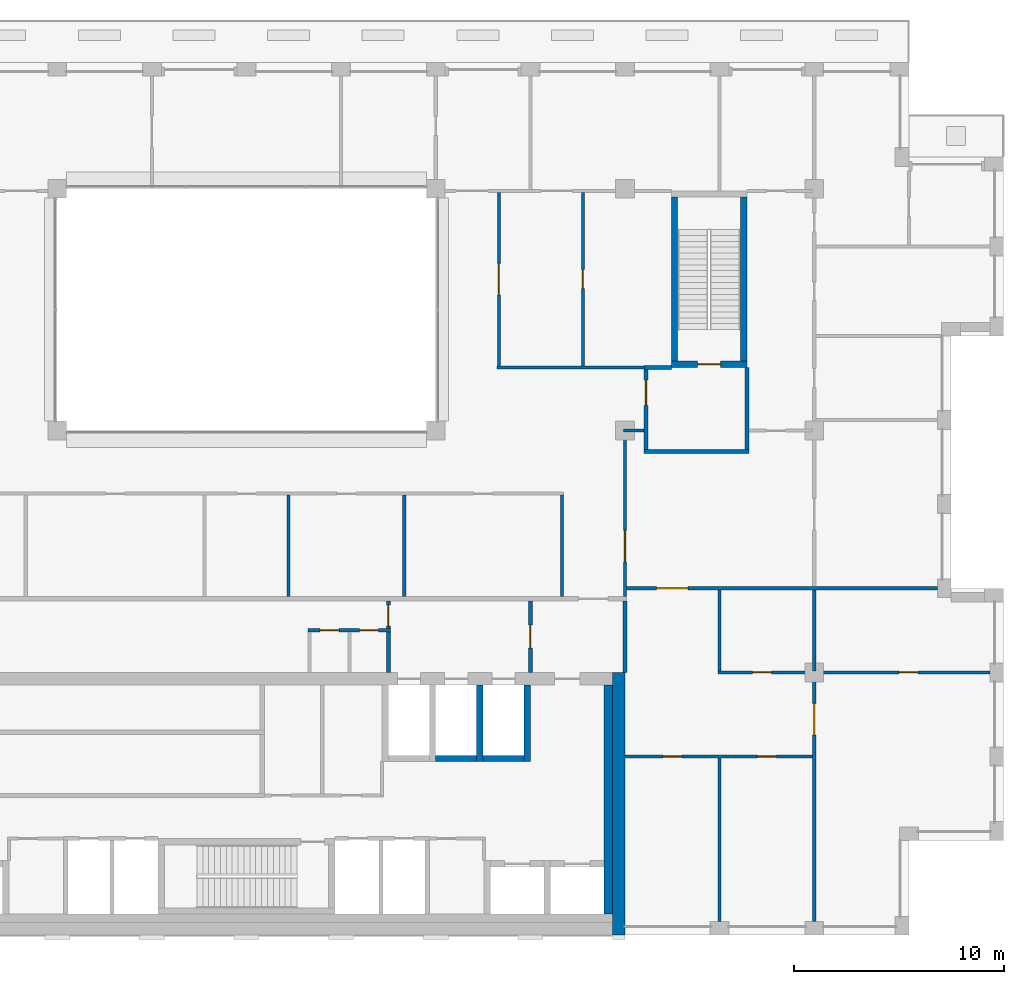
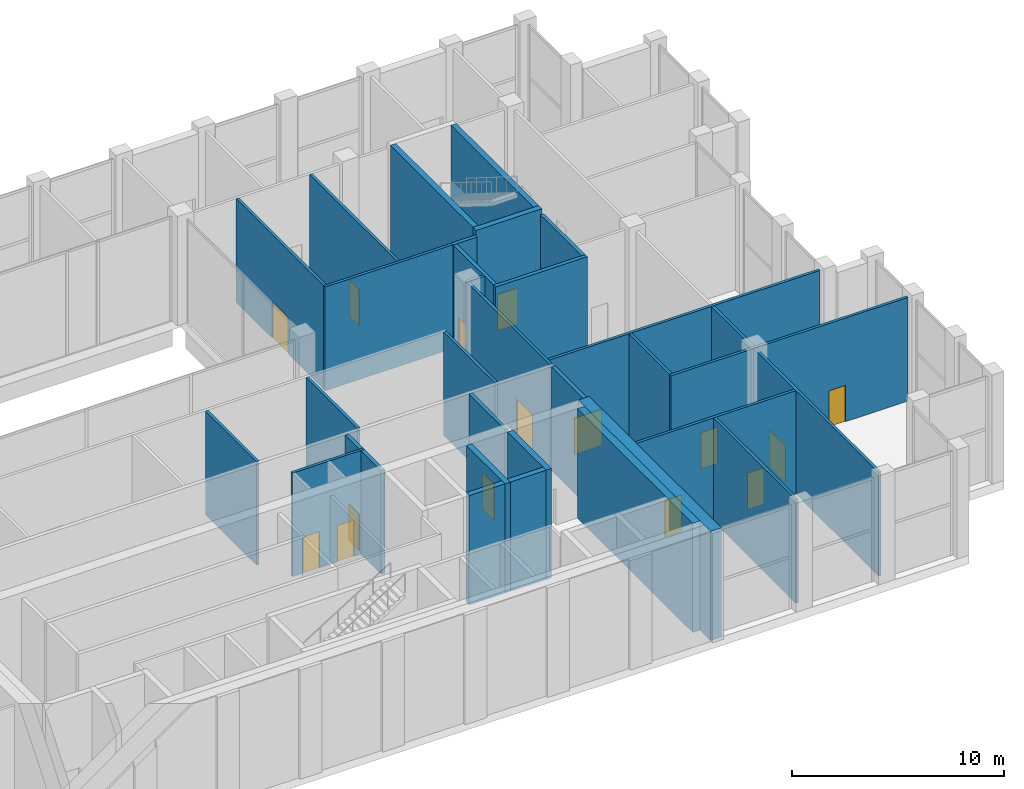
# One storey, part 14 of 18: 33 walls, 15 doors, 15 openings.
"""IFC4 building model written with IfcOpenShell, lengths in metres."""

from ifc_helpers import new_model, si_unit, direction, frame, frame_2d, origin, place, context, subcontext, project, spatial, rectangle, extrude, material, layer, layer_set, type_object, element, fill, save


model = new_model("IFC4")

# Units and contexts
model_context = context("Model", 3, precision=1e-05, world=origin(), true_north=direction((0.0, 1.0)))
body_context = subcontext(model_context, "Body", "Model", "MODEL_VIEW")
ifc_project = project(units=[si_unit("LENGTHUNIT", "METRE"), si_unit("AREAUNIT", "SQUARE_METRE"), si_unit("VOLUMEUNIT", "CUBIC_METRE"), si_unit("PLANEANGLEUNIT", "RADIAN"), si_unit("MASSUNIT", "GRAM", prefix="KILO")], contexts=[model_context])

# Site, building, storey
site_placement = place(None, origin())
site = spatial("IfcSite", under=ifc_project, at=site_placement, CompositionType="ELEMENT")
building_placement = place(site_placement, origin())
building = spatial("IfcBuilding", under=site, at=building_placement, Name="Brigalow Station Residences", CompositionType="ELEMENT")
storey_placement = place(building_placement, frame((0.0, 0.0, 191.699951171875)))
storey = spatial("IfcBuildingStorey", under=building, at=storey_placement, Name="L55", CompositionType="ELEMENT", Elevation=191.699951171875)

# Walls
ifc_material_1 = material(Name="Concrete C50", Category="concrete")
ifc_layer_1 = layer(ifc_material_1, 0.300048828125)
ifc_layer_set_1 = layer_set([ifc_layer_1], Name="CORE SHEAR WALL 300 C50")
wall_type_1 = type_object("IfcWallType", Name="CORE SHEAR WALL 300 C50", PredefinedType="SHEAR", material=ifc_layer_set_1)
for number, where, z_axis, x_axis, name in (
    (1, (45.0, 8.39990234375, 0.0), (0.0, 0.0, 1.0), (1.0, 0.0, 0.0), "CORE WALL SH-FF2-S L55"),
    (2, (47.25, 8.39990234375, 0.0), (0.0, 0.0, 1.0), (1.0, 0.0, 0.0), "CORE WALL SH-SL1-S L55"),
):
    element("IfcWall", number, at=place(storey_placement, frame(where, z_axis=z_axis, x_axis=x_axis)), inside=storey, type_object=wall_type_1, Name=name, PredefinedType="SHEAR", context=body_context, shape_type="SweptSolid", body=[
        extrude(rectangle(XDim=1.949951171875, YDim=0.300048828125, at=frame_2d((0.97509765625, 0.0))), origin(), (0.0, 0.0, 1.0), 6.300048828125),
    ])
for number, where, z_axis, x_axis, name in (
    (3, (47.10009765625, 8.25, 0.0), (0.0, 0.0, 1.0), (0.0, 1.0, 0.0), "CORE WALL SH-SL1-W L55"),
    (4, (49.35009765625, 8.25, 0.0), (0.0, 0.0, 1.0), (0.0, 1.0, 0.0), "CORE WALL SH-SL1-E L55"),
):
    element("IfcWall", number, at=place(storey_placement, frame(where, z_axis=z_axis, x_axis=x_axis)), inside=storey, type_object=wall_type_1, Name=name, PredefinedType="SHEAR", context=body_context, shape_type="SweptSolid", body=[
        extrude(rectangle(XDim=3.64990234375, YDim=0.300048828125, at=frame_2d((1.824951171875, 0.0))), origin(), (0.0, 0.0, 1.0), 6.300048828125),
    ])

# Wall, opening, door
wall_1_placement = place(storey_placement, frame((56.199951171875, 27.14990234375, 0.0), z_axis=(0.0, 0.0, 1.0), x_axis=(1.0, 0.0, 0.0)))
wall_1 = element("IfcWall", 5, at=wall_1_placement, inside=storey, type_object=wall_type_1, Name="CORE WALL ST-S3-S L55", PredefinedType="SHEAR", context=body_context, shape_type="SweptSolid", body=[
    extrude(rectangle(XDim=3.60009765625, YDim=0.300048828125, at=frame_2d((1.800048828125, 0.0))), origin(), (0.0, 0.0, 1.0), 6.300048828125),
])
opening_1_placement = place(wall_1_placement, frame((1.25, 0.0, 0.0)))
opening_1 = element("IfcOpeningElement", 6, at=opening_1_placement, cuts=wall_1, Name="Opening D-5018", PredefinedType="OPENING", context=body_context, shape_type="SweptSolid", body=[
    extrude(rectangle(XDim=1.10009765625, YDim=2.10009765625, at=frame_2d((0.550048828125, 1.050048828125))), frame((0.0, 0.16015625, 0.0), z_axis=(0.0, -1.0, 0.0), x_axis=(1.0, 0.0, 0.0)), (0.0, 0.0, 1.0), 0.320068359375),
])
ifc_material_2 = material(Name="Steel fire door leaf in steel frame", Category="steel")
door_type_1 = type_object("IfcDoorType", Name="STAIR DOOR 1100 x 2100 FD60S", OperationType="SINGLE_SWING_LEFT", PredefinedType="DOOR", material=ifc_material_2)
door_1_placement = place(opening_1_placement, origin())
door_1 = element("IfcDoor", 7, at=door_1_placement, inside=storey, type_object=door_type_1, Name="D-5018", OperationType="SINGLE_SWING_LEFT", OverallHeight=2.10009765625, OverallWidth=1.10009765625, PredefinedType="DOOR", context=body_context, shape_type="SweptSolid", body=[
    extrude(rectangle(XDim=1.10009765625, YDim=2.10009765625, at=frame_2d((0.550048828125, 1.050048828125))), frame((0.0, 0.02490234375, 0.0), z_axis=(0.0, -1.0, 0.0), x_axis=(1.0, 0.0, 0.0)), (0.0, 0.0, 1.0), 0.050048828125),
])
fill(opening_1, door_1)

# Walls
for number, where, z_axis, x_axis, name in (
    (8, (56.35009765625, 27.300048828125, 0.0), (0.0, 0.0, 1.0), (0.0, 1.0, 0.0), "CORE WALL ST-S3-W L55"),
    (9, (59.64990234375, 27.300048828125, 0.0), (0.0, 0.0, 1.0), (0.0, 1.0, 0.0), "CORE WALL ST-S3-E L55"),
):
    element("IfcWall", number, at=place(storey_placement, frame(where, z_axis=z_axis, x_axis=x_axis)), inside=storey, type_object=wall_type_1, Name=name, PredefinedType="SHEAR", context=body_context, shape_type="SweptSolid", body=[
        extrude(rectangle(XDim=7.800048828125, YDim=0.300048828125, at=frame_2d((3.89990234375, 0.0))), origin(), (0.0, 0.0, 1.0), 6.300048828125),
    ])
ifc_material_3 = material(Name="Concrete C50", Category="concrete")
ifc_layer_2 = layer(ifc_material_3, 0.39990234375)
ifc_layer_set_2 = layer_set([ifc_layer_2], Name="CORE SHEAR WALL 400 C50")
wall_type_2 = type_object("IfcWallType", Name="CORE SHEAR WALL 400 C50", PredefinedType="SHEAR", material=ifc_layer_set_2)
wall_2_placement = place(storey_placement, frame((53.199951171875, 1.0, 0.0), z_axis=(0.0, 0.0, 1.0), x_axis=(0.0, 1.0, 0.0)))
element("IfcWall", 10, at=wall_2_placement, inside=storey, type_object=wall_type_2, Name="CORE WALL LIN-E L55", PredefinedType="SHEAR", context=body_context, shape_type="SweptSolid", body=[
    extrude(rectangle(XDim=10.89990234375, YDim=0.39990234375, at=frame_2d((5.449951171875, 0.0))), origin(), (0.0, 0.0, 1.0), 6.300048828125),
])
ifc_material_4 = material(Name="Concrete C50", Category="concrete")
ifc_layer_3 = layer(ifc_material_4, 0.60009765625)
ifc_layer_set_3 = layer_set([ifc_layer_3], Name="CORE SHEAR WALL 600 C50")
wall_type_3 = type_object("IfcWallType", Name="CORE SHEAR WALL 600 C50", PredefinedType="SHEAR", material=ifc_layer_set_3)
wall_3_placement = place(storey_placement, frame((53.699951171875, 0.0, 0.0), z_axis=(0.0, 0.0, 1.0), x_axis=(0.0, 1.0, 0.0)))
element("IfcWall", 11, at=wall_3_placement, inside=storey, type_object=wall_type_3, Name="CORE WALL OUT-E L55", PredefinedType="SHEAR", context=body_context, shape_type="SweptSolid", body=[
    extrude(rectangle(XDim=12.5, YDim=0.60009765625, at=frame_2d((6.25, 0.0))), origin(), (0.0, 0.0, 1.0), 6.300048828125),
])
ifc_material_5 = material(Name="Concrete blockwork", Category="masonry")
ifc_layer_4 = layer(ifc_material_5, 0.199951171875)
ifc_layer_set_4 = layer_set([ifc_layer_4], Name="FIRE RATED CORE PARTITION 200")
wall_type_4 = type_object("IfcWallType", Name="FIRE RATED CORE PARTITION 200", PredefinedType="PARTITIONING", material=ifc_layer_set_4)
wall_4_placement = place(storey_placement, frame((54.89990234375, 23.0, 0.0), z_axis=(0.0, 0.0, 1.0), x_axis=(1.0, 0.0, 0.0)))
element("IfcWall", 12, at=wall_4_placement, inside=storey, type_object=wall_type_4, Name="PW-5024", PredefinedType="PARTITIONING", context=body_context, shape_type="SweptSolid", body=[
    extrude(rectangle(XDim=5.0, YDim=0.199951171875, at=frame_2d((2.5, 0.0))), origin(), (0.0, 0.0, 1.0), 5.97998046875),
])
wall_5_placement = place(storey_placement, frame((54.89990234375, 27.0, 0.0), z_axis=(0.0, 0.0, 1.0), x_axis=(1.0, 0.0, 0.0)))
element("IfcWall", 13, at=wall_5_placement, inside=storey, type_object=wall_type_4, Name="PW-5026", PredefinedType="PARTITIONING", context=body_context, shape_type="SweptSolid", body=[
    extrude(rectangle(XDim=1.300048828125, YDim=0.199951171875, at=frame_2d((0.64990234375, 0.0))), origin(), (0.0, 0.0, 1.0), 5.97998046875),
])
wall_6_placement = place(storey_placement, frame((42.75, 12.5, 0.0), z_axis=(0.0, 0.0, 1.0), x_axis=(0.0, 1.0, 0.0)))
element("IfcWall", 14, at=wall_6_placement, inside=storey, type_object=wall_type_4, Name="PW-5046", PredefinedType="PARTITIONING", context=body_context, shape_type="SweptSolid", body=[
    extrude(rectangle(XDim=1.925048828125, YDim=0.199951171875, at=frame_2d((0.96240234375, 0.0))), origin(), (0.0, 0.0, 1.0), 5.97998046875),
])

# Wall, opening, door
wall_7_placement = place(storey_placement, frame((49.5, 12.5, 0.0), z_axis=(0.0, 0.0, 1.0), x_axis=(0.0, 1.0, 0.0)))
wall_7 = element("IfcWall", 15, at=wall_7_placement, inside=storey, type_object=wall_type_4, Name="PW-5015", PredefinedType="PARTITIONING", context=body_context, shape_type="SweptSolid", body=[
    extrude(rectangle(XDim=3.39990234375, YDim=0.199951171875, at=frame_2d((1.699951171875, 0.0))), origin(), (0.0, 0.0, 1.0), 5.97998046875),
])
opening_2_placement = place(wall_7_placement, frame((1.14990234375, 0.0, 0.0)))
opening_2 = element("IfcOpeningElement", 16, at=opening_2_placement, cuts=wall_7, Name="Opening D-5014", PredefinedType="OPENING", context=body_context, shape_type="SweptSolid", body=[
    extrude(rectangle(XDim=1.10009765625, YDim=2.10009765625, at=frame_2d((0.550048828125, 1.050048828125))), frame((0.0, 0.10986328125, 0.0), z_axis=(0.0, -1.0, 0.0), x_axis=(1.0, 0.0, 0.0)), (0.0, 0.0, 1.0), 0.219970703125),
])
ifc_material_6 = material(Name="Steel fire door leaf in steel frame", Category="steel")
door_type_2 = type_object("IfcDoorType", Name="LOBBY DOOR 1100 x 2100 FD60S", OperationType="SINGLE_SWING_LEFT", PredefinedType="DOOR", material=ifc_material_6)
door_2_placement = place(opening_2_placement, origin())
door_2 = element("IfcDoor", 17, at=door_2_placement, inside=storey, type_object=door_type_2, Name="D-5014", OperationType="SINGLE_SWING_LEFT", OverallHeight=2.10009765625, OverallWidth=1.10009765625, PredefinedType="DOOR", context=body_context, shape_type="SweptSolid", body=[
    extrude(rectangle(XDim=1.10009765625, YDim=2.10009765625, at=frame_2d((0.550048828125, 1.050048828125))), frame((0.0, 0.02490234375, 0.0), z_axis=(0.0, -1.0, 0.0), x_axis=(1.0, 0.0, 0.0)), (0.0, 0.0, 1.0), 0.050048828125),
])
fill(opening_2, door_2)

# Wall
wall_8_placement = place(storey_placement, frame((54.0, 12.5, 0.0), z_axis=(0.0, 0.0, 1.0), x_axis=(0.0, 1.0, 0.0)))
element("IfcWall", 18, at=wall_8_placement, inside=storey, type_object=wall_type_4, Name="PW-5016", PredefinedType="PARTITIONING", context=body_context, shape_type="SweptSolid", body=[
    extrude(rectangle(XDim=3.39990234375, YDim=0.199951171875, at=frame_2d((1.699951171875, 0.0))), origin(), (0.0, 0.0, 1.0), 5.97998046875),
])

# Wall, opening, door
wall_9_placement = place(storey_placement, frame((42.75, 14.574951171875, 0.0), z_axis=(0.0, 0.0, 1.0), x_axis=(0.0, 1.0, 0.0)))
wall_9 = element("IfcWall", 19, at=wall_9_placement, inside=storey, type_object=wall_type_4, Name="PW-5047", PredefinedType="PARTITIONING", context=body_context, shape_type="SweptSolid", body=[
    extrude(rectangle(XDim=1.324951171875, YDim=0.199951171875, at=frame_2d((0.66259765625, 0.0))), origin(), (0.0, 0.0, 1.0), 5.97998046875),
])
opening_3_placement = place(wall_9_placement, frame((0.125, 0.0, 0.0)))
opening_3 = element("IfcOpeningElement", 20, at=opening_3_placement, cuts=wall_9, Name="Opening D-5013", PredefinedType="OPENING", context=body_context, shape_type="SweptSolid", body=[
    extrude(rectangle(XDim=1.0, YDim=2.10009765625, at=frame_2d((0.5, 1.050048828125))), frame((0.0, 0.10986328125, 0.0), z_axis=(0.0, -1.0, 0.0), x_axis=(1.0, 0.0, 0.0)), (0.0, 0.0, 1.0), 0.219970703125),
])
ifc_material_7 = material(Name="Steel fire door leaf in steel frame", Category="steel")
door_type_3 = type_object("IfcDoorType", Name="LOBBY DOOR 1000 x 2100 FD60S", OperationType="SINGLE_SWING_LEFT", PredefinedType="DOOR", material=ifc_material_7)
door_3_placement = place(opening_3_placement, origin())
door_3 = element("IfcDoor", 21, at=door_3_placement, inside=storey, type_object=door_type_3, Name="D-5013", OperationType="SINGLE_SWING_LEFT", OverallHeight=2.10009765625, OverallWidth=1.0, PredefinedType="DOOR", context=body_context, shape_type="SweptSolid", body=[
    extrude(rectangle(XDim=1.0, YDim=2.10009765625, at=frame_2d((0.5, 1.050048828125))), frame((0.0, 0.02490234375, 0.0), z_axis=(0.0, -1.0, 0.0), x_axis=(1.0, 0.0, 0.0)), (0.0, 0.0, 1.0), 0.050048828125),
])
fill(opening_3, door_3)

wall_10_placement = place(storey_placement, frame((55.0, 23.10009765625, 0.0), z_axis=(0.0, 0.0, 1.0), x_axis=(0.0, 1.0, 0.0)))
wall_10 = element("IfcWall", 22, at=wall_10_placement, inside=storey, type_object=wall_type_4, Name="PW-5036", PredefinedType="PARTITIONING", context=body_context, shape_type="SweptSolid", body=[
    extrude(rectangle(XDim=3.7998046875, YDim=0.199951171875, at=frame_2d((1.89990234375, 0.0))), origin(), (0.0, 0.0, 1.0), 5.97998046875),
])
opening_4_placement = place(wall_10_placement, frame((2.10009765625, 0.0, 0.0)))
opening_4 = element("IfcOpeningElement", 23, at=opening_4_placement, cuts=wall_10, Name="Opening D-5019", PredefinedType="OPENING", context=body_context, shape_type="SweptSolid", body=[
    extrude(rectangle(XDim=1.199951171875, YDim=2.10009765625, at=frame_2d((0.60009765625, 1.050048828125))), frame((0.0, 0.10986328125, 0.0), z_axis=(0.0, -1.0, 0.0), x_axis=(1.0, 0.0, 0.0)), (0.0, 0.0, 1.0), 0.219970703125),
])
ifc_material_8 = material(Name="Steel fire door leaf in steel frame", Category="steel")
door_type_4 = type_object("IfcDoorType", Name="STAIR LOBBY DOOR 1200 x 2100 FD60S", OperationType="SINGLE_SWING_LEFT", PredefinedType="DOOR", material=ifc_material_8)
door_4_placement = place(opening_4_placement, frame((1.199951171875, 0.0, 0.0), z_axis=(0.0, 0.0, 1.0), x_axis=(-1.0, 0.0, 0.0)))
door_4 = element("IfcDoor", 24, at=door_4_placement, inside=storey, type_object=door_type_4, Name="D-5019", OperationType="SINGLE_SWING_LEFT", OverallHeight=2.10009765625, OverallWidth=1.199951171875, PredefinedType="DOOR", context=body_context, shape_type="SweptSolid", body=[
    extrude(rectangle(XDim=1.199951171875, YDim=2.10009765625, at=frame_2d((0.60009765625, 1.050048828125))), frame((0.0, 0.02490234375, 0.0), z_axis=(0.0, -1.0, 0.0), x_axis=(1.0, 0.0, 0.0)), (0.0, 0.0, 1.0), 0.050048828125),
])
fill(opening_4, door_4)

# Walls
wall_11_placement = place(storey_placement, frame((59.800048828125, 23.10009765625, 0.0), z_axis=(0.0, 0.0, 1.0), x_axis=(0.0, 1.0, 0.0)))
element("IfcWall", 25, at=wall_11_placement, inside=storey, type_object=wall_type_4, Name="PW-5037", PredefinedType="PARTITIONING", context=body_context, shape_type="SweptSolid", body=[
    extrude(rectangle(XDim=3.89990234375, YDim=0.199951171875, at=frame_2d((1.949951171875, 0.0))), origin(), (0.0, 0.0, 1.0), 5.97998046875),
])
ifc_material_9 = material(Name="Plasterboard on steel stud partition", Category="steel")
ifc_layer_5 = layer(ifc_material_9, 0.14990234375)
ifc_layer_set_5 = layer_set([ifc_layer_5], Name="FLAT PARTITION 150")
wall_type_5 = type_object("IfcWallType", Name="FLAT PARTITION 150", PredefinedType="PARTITIONING", material=ifc_layer_set_5)
wall_12_placement = place(storey_placement, frame((47.925048828125, 27.0, 0.0), z_axis=(0.0, 0.0, 1.0), x_axis=(1.0, 0.0, 0.0)))
element("IfcWall", 26, at=wall_12_placement, inside=storey, type_object=wall_type_5, Name="PW-SA203", PredefinedType="PARTITIONING", context=body_context, shape_type="SweptSolid", body=[
    extrude(rectangle(XDim=6.974853515625, YDim=0.14990234375, at=frame_2d((3.4873046875, 0.0))), origin(), (0.0, 0.0, 1.0), 5.97998046875),
])
wall_13_placement = place(storey_placement, frame((53.925048828125, 24.0, 0.0), z_axis=(0.0, 0.0, 1.0), x_axis=(1.0, 0.0, 0.0)))
element("IfcWall", 27, at=wall_13_placement, inside=storey, type_object=wall_type_5, Name="PW-SA205", PredefinedType="PARTITIONING", context=body_context, shape_type="SweptSolid", body=[
    extrude(rectangle(XDim=0.974853515625, YDim=0.14990234375, at=frame_2d((0.4873046875, 0.0))), origin(), (0.0, 0.0, 1.0), 5.97998046875),
])

# Wall, openings, doors
wall_14_placement = place(storey_placement, frame((58.425048828125, 12.5, 0.0), z_axis=(0.0, 0.0, 1.0), x_axis=(1.0, 0.0, 0.0)))
wall_14 = element("IfcWall", 28, at=wall_14_placement, inside=storey, type_object=wall_type_5, Name="PW-SA212", PredefinedType="PARTITIONING", context=body_context, shape_type="SweptSolid", body=[
    extrude(rectangle(XDim=12.925048828125, YDim=0.14990234375, at=frame_2d((6.46240234375, 0.0))), origin(), (0.0, 0.0, 1.0), 5.97998046875),
])
opening_5_placement = place(wall_14_placement, frame((1.64990234375, 0.0, 0.0)))
opening_5 = element("IfcOpeningElement", 29, at=opening_5_placement, cuts=wall_14, Name="Opening D-SA225", PredefinedType="OPENING", context=body_context, shape_type="SweptSolid", body=[
    extrude(rectangle(XDim=0.89990234375, YDim=2.10009765625, at=frame_2d((0.449951171875, 1.050048828125))), frame((0.0, 0.0849609375, 0.0), z_axis=(0.0, -1.0, 0.0), x_axis=(1.0, 0.0, 0.0)), (0.0, 0.0, 1.0), 0.169921875),
])
opening_6_placement = place(wall_14_placement, frame((8.60009765625, 0.0, 0.0)))
opening_6 = element("IfcOpeningElement", 30, at=opening_6_placement, cuts=wall_14, Name="Opening D-SA227", PredefinedType="OPENING", context=body_context, shape_type="SweptSolid", body=[
    extrude(rectangle(XDim=0.89990234375, YDim=2.10009765625, at=frame_2d((0.449951171875, 1.050048828125))), frame((0.0, 0.0849609375, 0.0), z_axis=(0.0, -1.0, 0.0), x_axis=(1.0, 0.0, 0.0)), (0.0, 0.0, 1.0), 0.169921875),
])
ifc_material_10 = material(Name="Solid-core timber door leaf", Category="wood")
door_type_5 = type_object("IfcDoorType", Name="INTERNAL DOOR 900 x 2100", OperationType="SINGLE_SWING_LEFT", PredefinedType="DOOR", material=ifc_material_10)
door_5_placement = place(opening_5_placement, origin())
door_5 = element("IfcDoor", 31, at=door_5_placement, inside=storey, type_object=door_type_5, Name="D-SA225", OperationType="SINGLE_SWING_LEFT", OverallHeight=2.10009765625, OverallWidth=0.89990234375, PredefinedType="DOOR", context=body_context, shape_type="SweptSolid", body=[
    extrude(rectangle(XDim=0.89990234375, YDim=2.10009765625, at=frame_2d((0.449951171875, 1.050048828125))), frame((0.0, 0.02490234375, 0.0), z_axis=(0.0, -1.0, 0.0), x_axis=(1.0, 0.0, 0.0)), (0.0, 0.0, 1.0), 0.050048828125),
])
fill(opening_5, door_5)
door_6_placement = place(opening_6_placement, origin())
door_6 = element("IfcDoor", 32, at=door_6_placement, inside=storey, type_object=door_type_5, Name="D-SA227", OperationType="SINGLE_SWING_RIGHT", OverallHeight=2.10009765625, OverallWidth=0.89990234375, PredefinedType="DOOR", context=body_context, shape_type="SweptSolid", body=[
    extrude(rectangle(XDim=0.89990234375, YDim=2.10009765625, at=frame_2d((0.449951171875, 1.050048828125))), frame((0.0, 0.02490234375, 0.0), z_axis=(0.0, -1.0, 0.0), x_axis=(1.0, 0.0, 0.0)), (0.0, 0.0, 1.0), 0.050048828125),
])
fill(opening_6, door_6)

# Wall, opening, door
wall_15_placement = place(storey_placement, frame((54.074951171875, 16.5, 0.0), z_axis=(0.0, 0.0, 1.0), x_axis=(1.0, 0.0, 0.0)))
wall_15 = element("IfcWall", 33, at=wall_15_placement, inside=storey, type_object=wall_type_5, Name="PW-SA214", PredefinedType="PARTITIONING", context=body_context, shape_type="SweptSolid", body=[
    extrude(rectangle(XDim=14.775146484375, YDim=0.14990234375, at=frame_2d((7.3876953125, 0.0))), origin(), (0.0, 0.0, 1.0), 5.97998046875),
])
opening_7_placement = place(wall_15_placement, frame((1.425048828125, 0.0, 0.0)))
opening_7 = element("IfcOpeningElement", 34, at=opening_7_placement, cuts=wall_15, Name="Opening D-SA222", PredefinedType="OPENING", context=body_context, shape_type="SweptSolid", body=[
    extrude(rectangle(XDim=1.5, YDim=2.10009765625, at=frame_2d((0.75, 1.050048828125))), frame((0.0, 0.0849609375, 0.0), z_axis=(0.0, -1.0, 0.0), x_axis=(1.0, 0.0, 0.0)), (0.0, 0.0, 1.0), 0.169921875),
])
ifc_material_11 = material(Name="Solid-core timber door leaf", Category="wood")
door_type_6 = type_object("IfcDoorType", Name="INTERNAL DOUBLE DOOR 1500 x 2100", OperationType="DOUBLE_DOOR_SINGLE_SWING", PredefinedType="DOOR", material=ifc_material_11)
door_7_placement = place(opening_7_placement, frame((1.5, 0.0, 0.0), z_axis=(0.0, 0.0, 1.0), x_axis=(-1.0, 0.0, 0.0)))
door_7 = element("IfcDoor", 35, at=door_7_placement, inside=storey, type_object=door_type_6, Name="D-SA222", OperationType="DOUBLE_DOOR_SINGLE_SWING", OverallHeight=2.10009765625, OverallWidth=1.5, PredefinedType="DOOR", context=body_context, shape_type="SweptSolid", body=[
    extrude(rectangle(XDim=1.5, YDim=2.10009765625, at=frame_2d((0.75, 1.050048828125))), frame((0.0, 0.02490234375, 0.0), z_axis=(0.0, -1.0, 0.0), x_axis=(1.0, 0.0, 0.0)), (0.0, 0.0, 1.0), 0.050048828125),
])
fill(opening_7, door_7)

# Wall, openings, doors
wall_16_placement = place(storey_placement, frame((54.0, 8.5, 0.0), z_axis=(0.0, 0.0, 1.0), x_axis=(1.0, 0.0, 0.0)))
wall_16 = element("IfcWall", 36, at=wall_16_placement, inside=storey, type_object=wall_type_5, Name="PW-SA215", PredefinedType="PARTITIONING", context=body_context, shape_type="SweptSolid", body=[
    extrude(rectangle(XDim=8.925048828125, YDim=0.14990234375, at=frame_2d((4.46240234375, 0.0))), origin(), (0.0, 0.0, 1.0), 5.97998046875),
])
opening_8_placement = place(wall_16_placement, frame((1.800048828125, 0.0, 0.0)))
opening_8 = element("IfcOpeningElement", 37, at=opening_8_placement, cuts=wall_16, Name="Opening D-SA223", PredefinedType="OPENING", context=body_context, shape_type="SweptSolid", body=[
    extrude(rectangle(XDim=0.89990234375, YDim=2.10009765625, at=frame_2d((0.449951171875, 1.050048828125))), frame((0.0, 0.0849609375, 0.0), z_axis=(0.0, -1.0, 0.0), x_axis=(1.0, 0.0, 0.0)), (0.0, 0.0, 1.0), 0.169921875),
])
opening_9_placement = place(wall_16_placement, frame((6.300048828125, 0.0, 0.0)))
opening_9 = element("IfcOpeningElement", 38, at=opening_9_placement, cuts=wall_16, Name="Opening D-SA224", PredefinedType="OPENING", context=body_context, shape_type="SweptSolid", body=[
    extrude(rectangle(XDim=0.89990234375, YDim=2.10009765625, at=frame_2d((0.449951171875, 1.050048828125))), frame((0.0, 0.0849609375, 0.0), z_axis=(0.0, -1.0, 0.0), x_axis=(1.0, 0.0, 0.0)), (0.0, 0.0, 1.0), 0.169921875),
])
door_8_placement = place(opening_8_placement, frame((0.89990234375, 0.0, 0.0), z_axis=(0.0, 0.0, 1.0), x_axis=(-1.0, 0.0, 0.0)))
door_8 = element("IfcDoor", 39, at=door_8_placement, inside=storey, type_object=door_type_5, Name="D-SA223", OperationType="SINGLE_SWING_LEFT", OverallHeight=2.10009765625, OverallWidth=0.89990234375, PredefinedType="DOOR", context=body_context, shape_type="SweptSolid", body=[
    extrude(rectangle(XDim=0.89990234375, YDim=2.10009765625, at=frame_2d((0.449951171875, 1.050048828125))), frame((0.0, 0.02490234375, 0.0), z_axis=(0.0, -1.0, 0.0), x_axis=(1.0, 0.0, 0.0)), (0.0, 0.0, 1.0), 0.050048828125),
])
fill(opening_8, door_8)
door_9_placement = place(opening_9_placement, frame((0.89990234375, 0.0, 0.0), z_axis=(0.0, 0.0, 1.0), x_axis=(-1.0, 0.0, 0.0)))
door_9 = element("IfcDoor", 40, at=door_9_placement, inside=storey, type_object=door_type_5, Name="D-SA224", OperationType="SINGLE_SWING_RIGHT", OverallHeight=2.10009765625, OverallWidth=0.89990234375, PredefinedType="DOOR", context=body_context, shape_type="SweptSolid", body=[
    extrude(rectangle(XDim=0.89990234375, YDim=2.10009765625, at=frame_2d((0.449951171875, 1.050048828125))), frame((0.0, 0.02490234375, 0.0), z_axis=(0.0, -1.0, 0.0), x_axis=(1.0, 0.0, 0.0)), (0.0, 0.0, 1.0), 0.050048828125),
])
fill(opening_9, door_9)

# Wall, opening, door
wall_17_placement = place(storey_placement, frame((54.0, 16.10009765625, 0.0), z_axis=(0.0, 0.0, 1.0), x_axis=(0.0, 1.0, 0.0)))
wall_17 = element("IfcWall", 41, at=wall_17_placement, inside=storey, type_object=wall_type_5, Name="PW-SA221", PredefinedType="PARTITIONING", context=body_context, shape_type="SweptSolid", body=[
    extrude(rectangle(XDim=7.824951171875, YDim=0.14990234375, at=frame_2d((3.91259765625, 0.0))), origin(), (0.0, 0.0, 1.0), 5.97998046875),
])
opening_10_placement = place(wall_17_placement, frame((1.64990234375, 0.0, 0.0)))
opening_10 = element("IfcOpeningElement", 42, at=opening_10_placement, cuts=wall_17, Name="Opening D-SA221", PredefinedType="OPENING", context=body_context, shape_type="SweptSolid", body=[
    extrude(rectangle(XDim=1.5, YDim=2.10009765625, at=frame_2d((0.75, 1.050048828125))), frame((0.0, 0.0849609375, 0.0), z_axis=(0.0, -1.0, 0.0), x_axis=(1.0, 0.0, 0.0)), (0.0, 0.0, 1.0), 0.169921875),
])
door_10_placement = place(opening_10_placement, frame((1.5, 0.0, 0.0), z_axis=(0.0, 0.0, 1.0), x_axis=(-1.0, 0.0, 0.0)))
door_10 = element("IfcDoor", 43, at=door_10_placement, inside=storey, type_object=door_type_6, Name="D-SA221", OperationType="DOUBLE_DOOR_SINGLE_SWING", OverallHeight=2.10009765625, OverallWidth=1.5, PredefinedType="DOOR", context=body_context, shape_type="SweptSolid", body=[
    extrude(rectangle(XDim=1.5, YDim=2.10009765625, at=frame_2d((0.75, 1.050048828125))), frame((0.0, 0.02490234375, 0.0), z_axis=(0.0, -1.0, 0.0), x_axis=(1.0, 0.0, 0.0)), (0.0, 0.0, 1.0), 0.050048828125),
])
fill(opening_10, door_10)

# Wall
wall_18_placement = place(storey_placement, frame((51.0, 16.10009765625, 0.0), z_axis=(0.0, 0.0, 1.0), x_axis=(0.0, 1.0, 0.0)))
element("IfcWall", 44, at=wall_18_placement, inside=storey, type_object=wall_type_5, Name="PW-SA223", PredefinedType="PARTITIONING", context=body_context, shape_type="SweptSolid", body=[
    extrude(rectangle(XDim=4.824951171875, YDim=0.14990234375, at=frame_2d((2.41259765625, 0.0))), origin(), (0.0, 0.0, 1.0), 5.97998046875),
])

# Wall, opening, door
wall_19_placement = place(storey_placement, frame((48.0, 27.074951171875, 0.0), z_axis=(0.0, 0.0, 1.0), x_axis=(0.0, 1.0, 0.0)))
wall_19 = element("IfcWall", 45, at=wall_19_placement, inside=storey, type_object=wall_type_5, Name="PW-SA225", PredefinedType="PARTITIONING", context=body_context, shape_type="SweptSolid", body=[
    extrude(rectangle(XDim=8.25, YDim=0.14990234375, at=frame_2d((4.125, 0.0))), origin(), (0.0, 0.0, 1.0), 5.97998046875),
])
opening_11_placement = place(wall_19_placement, frame((3.375, 0.0, 0.0)))
opening_11 = element("IfcOpeningElement", 46, at=opening_11_placement, cuts=wall_19, Name="Opening D-SA209", PredefinedType="OPENING", context=body_context, shape_type="SweptSolid", body=[
    extrude(rectangle(XDim=1.5, YDim=2.10009765625, at=frame_2d((0.75, 1.050048828125))), frame((0.0, 0.0849609375, 0.0), z_axis=(0.0, -1.0, 0.0), x_axis=(1.0, 0.0, 0.0)), (0.0, 0.0, 1.0), 0.169921875),
])
door_11_placement = place(opening_11_placement, frame((1.5, 0.0, 0.0), z_axis=(0.0, 0.0, 1.0), x_axis=(-1.0, 0.0, 0.0)))
door_11 = element("IfcDoor", 47, at=door_11_placement, inside=storey, type_object=door_type_6, Name="D-SA209", OperationType="DOUBLE_DOOR_SINGLE_SWING", OverallHeight=2.10009765625, OverallWidth=1.5, PredefinedType="DOOR", context=body_context, shape_type="SweptSolid", body=[
    extrude(rectangle(XDim=1.5, YDim=2.10009765625, at=frame_2d((0.75, 1.050048828125))), frame((0.0, 0.02490234375, 0.0), z_axis=(0.0, -1.0, 0.0), x_axis=(1.0, 0.0, 0.0)), (0.0, 0.0, 1.0), 0.050048828125),
])
fill(opening_11, door_11)

wall_20_placement = place(storey_placement, frame((52.0, 27.074951171875, 0.0), z_axis=(0.0, 0.0, 1.0), x_axis=(0.0, 1.0, 0.0)))
wall_20 = element("IfcWall", 48, at=wall_20_placement, inside=storey, type_object=wall_type_5, Name="PW-SA230", PredefinedType="PARTITIONING", context=body_context, shape_type="SweptSolid", body=[
    extrude(rectangle(XDim=8.25, YDim=0.14990234375, at=frame_2d((4.125, 0.0))), origin(), (0.0, 0.0, 1.0), 5.97998046875),
])
opening_12_placement = place(wall_20_placement, frame((3.675048828125, 0.0, 0.0)))
opening_12 = element("IfcOpeningElement", 49, at=opening_12_placement, cuts=wall_20, Name="Opening D-SA211", PredefinedType="OPENING", context=body_context, shape_type="SweptSolid", body=[
    extrude(rectangle(XDim=0.89990234375, YDim=2.10009765625, at=frame_2d((0.449951171875, 1.050048828125))), frame((0.0, 0.0849609375, 0.0), z_axis=(0.0, -1.0, 0.0), x_axis=(1.0, 0.0, 0.0)), (0.0, 0.0, 1.0), 0.169921875),
])
door_12_placement = place(opening_12_placement, frame((0.89990234375, 0.0, 0.0), z_axis=(0.0, 0.0, 1.0), x_axis=(-1.0, 0.0, 0.0)))
door_12 = element("IfcDoor", 50, at=door_12_placement, inside=storey, type_object=door_type_5, Name="D-SA211", OperationType="SINGLE_SWING_RIGHT", OverallHeight=2.10009765625, OverallWidth=0.89990234375, PredefinedType="DOOR", context=body_context, shape_type="SweptSolid", body=[
    extrude(rectangle(XDim=0.89990234375, YDim=2.10009765625, at=frame_2d((0.449951171875, 1.050048828125))), frame((0.0, 0.02490234375, 0.0), z_axis=(0.0, -1.0, 0.0), x_axis=(1.0, 0.0, 0.0)), (0.0, 0.0, 1.0), 0.050048828125),
])
fill(opening_12, door_12)

# Walls
wall_21_placement = place(storey_placement, frame((58.5, 0.64990234375, 0.0), z_axis=(0.0, 0.0, 1.0), x_axis=(0.0, 1.0, 0.0)))
element("IfcWall", 51, at=wall_21_placement, inside=storey, type_object=wall_type_5, Name="PW-SA231", PredefinedType="PARTITIONING", context=body_context, shape_type="SweptSolid", body=[
    extrude(rectangle(XDim=7.775146484375, YDim=0.14990234375, at=frame_2d((3.8876953125, 0.0))), origin(), (0.0, 0.0, 1.0), 5.97998046875),
])
wall_22_placement = place(storey_placement, frame((58.5, 12.574951171875, 0.0), z_axis=(0.0, 0.0, 1.0), x_axis=(0.0, 1.0, 0.0)))
element("IfcWall", 52, at=wall_22_placement, inside=storey, type_object=wall_type_5, Name="PW-SA232", PredefinedType="PARTITIONING", context=body_context, shape_type="SweptSolid", body=[
    extrude(rectangle(XDim=3.85009765625, YDim=0.14990234375, at=frame_2d((1.925048828125, 0.0))), origin(), (0.0, 0.0, 1.0), 5.97998046875),
])
for number, where, z_axis, x_axis, name in (
    (53, (38.0, 16.10009765625, 0.0), (0.0, 0.0, 1.0), (0.0, 1.0, 0.0), "PW-SA237"),
    (54, (43.5, 16.10009765625, 0.0), (0.0, 0.0, 1.0), (0.0, 1.0, 0.0), "PW-SA238"),
):
    element("IfcWall", number, at=place(storey_placement, frame(where, z_axis=z_axis, x_axis=x_axis)), inside=storey, type_object=wall_type_5, Name=name, PredefinedType="PARTITIONING", context=body_context, shape_type="SweptSolid", body=[
        extrude(rectangle(XDim=4.824951171875, YDim=0.14990234375, at=frame_2d((2.41259765625, 0.0))), origin(), (0.0, 0.0, 1.0), 5.97998046875),
    ])

# Wall, opening, door
wall_23_placement = place(storey_placement, frame((63.0, 0.64990234375, 0.0), z_axis=(0.0, 0.0, 1.0), x_axis=(0.0, 1.0, 0.0)))
wall_23 = element("IfcWall", 55, at=wall_23_placement, inside=storey, type_object=wall_type_5, Name="PW-SA239", PredefinedType="PARTITIONING", context=body_context, shape_type="SweptSolid", body=[
    extrude(rectangle(XDim=11.775146484375, YDim=0.14990234375, at=frame_2d((5.8876953125, 0.0))), origin(), (0.0, 0.0, 1.0), 5.97998046875),
])
opening_13_placement = place(wall_23_placement, frame((8.875, 0.0, 0.0)))
opening_13 = element("IfcOpeningElement", 56, at=opening_13_placement, cuts=wall_23, Name="Opening D-SA226", PredefinedType="OPENING", context=body_context, shape_type="SweptSolid", body=[
    extrude(rectangle(XDim=1.5, YDim=2.10009765625, at=frame_2d((0.75, 1.050048828125))), frame((0.0, 0.0849609375, 0.0), z_axis=(0.0, -1.0, 0.0), x_axis=(1.0, 0.0, 0.0)), (0.0, 0.0, 1.0), 0.169921875),
])
door_13_placement = place(opening_13_placement, origin())
door_13 = element("IfcDoor", 57, at=door_13_placement, inside=storey, type_object=door_type_6, Name="D-SA226", OperationType="DOUBLE_DOOR_SINGLE_SWING", OverallHeight=2.10009765625, OverallWidth=1.5, PredefinedType="DOOR", context=body_context, shape_type="SweptSolid", body=[
    extrude(rectangle(XDim=1.5, YDim=2.10009765625, at=frame_2d((0.75, 1.050048828125))), frame((0.0, 0.02490234375, 0.0), z_axis=(0.0, -1.0, 0.0), x_axis=(1.0, 0.0, 0.0)), (0.0, 0.0, 1.0), 0.050048828125),
])
fill(opening_13, door_13)

# Wall
wall_24_placement = place(storey_placement, frame((63.0, 12.574951171875, 0.0), z_axis=(0.0, 0.0, 1.0), x_axis=(0.0, 1.0, 0.0)))
element("IfcWall", 58, at=wall_24_placement, inside=storey, type_object=wall_type_5, Name="PW-SA240", PredefinedType="PARTITIONING", context=body_context, shape_type="SweptSolid", body=[
    extrude(rectangle(XDim=3.85009765625, YDim=0.14990234375, at=frame_2d((1.925048828125, 0.0))), origin(), (0.0, 0.0, 1.0), 5.97998046875),
])

# Wall, openings, doors
ifc_material_12 = material(Name="Plasterboard on steel studs", Category="steel")
ifc_layer_6 = layer(ifc_material_12, 0.14990234375)
ifc_layer_set_6 = layer_set([ifc_layer_6], Name="SERVICE ROOM PARTITION 150")
wall_type_6 = type_object("IfcWallType", Name="SERVICE ROOM PARTITION 150", PredefinedType="PARTITIONING", material=ifc_layer_set_6)
wall_25_placement = place(storey_placement, frame((38.925048828125, 14.5, 0.0), z_axis=(0.0, 0.0, 1.0), x_axis=(1.0, 0.0, 0.0)))
wall_25 = element("IfcWall", 59, at=wall_25_placement, inside=storey, type_object=wall_type_6, Name="PW-5129", PredefinedType="PARTITIONING", context=body_context, shape_type="SweptSolid", body=[
    extrude(rectangle(XDim=3.925048828125, YDim=0.14990234375, at=frame_2d((1.96240234375, 0.0))), origin(), (0.0, 0.0, 1.0), 5.97998046875),
])
opening_14_placement = place(wall_25_placement, frame((0.574951171875, 0.0, 0.0)))
opening_14 = element("IfcOpeningElement", 60, at=opening_14_placement, cuts=wall_25, Name="Opening D-5077", PredefinedType="OPENING", context=body_context, shape_type="SweptSolid", body=[
    extrude(rectangle(XDim=0.89990234375, YDim=2.10009765625, at=frame_2d((0.449951171875, 1.050048828125))), frame((0.0, 0.0849609375, 0.0), z_axis=(0.0, -1.0, 0.0), x_axis=(1.0, 0.0, 0.0)), (0.0, 0.0, 1.0), 0.169921875),
])
opening_15_placement = place(wall_25_placement, frame((2.449951171875, 0.0, 0.0)))
opening_15 = element("IfcOpeningElement", 61, at=opening_15_placement, cuts=wall_25, Name="Opening D-5078", PredefinedType="OPENING", context=body_context, shape_type="SweptSolid", body=[
    extrude(rectangle(XDim=0.89990234375, YDim=2.10009765625, at=frame_2d((0.449951171875, 1.050048828125))), frame((0.0, 0.0849609375, 0.0), z_axis=(0.0, -1.0, 0.0), x_axis=(1.0, 0.0, 0.0)), (0.0, 0.0, 1.0), 0.169921875),
])
ifc_material_13 = material(Name="Steel door leaf in steel frame", Category="steel")
door_type_7 = type_object("IfcDoorType", Name="SERVICE ROOM DOOR 900 x 2100 FD60", OperationType="SINGLE_SWING_LEFT", PredefinedType="DOOR", material=ifc_material_13)
door_14_placement = place(opening_14_placement, frame((0.89990234375, 0.0, 0.0), z_axis=(0.0, 0.0, 1.0), x_axis=(-1.0, 0.0, 0.0)))
door_14 = element("IfcDoor", 62, at=door_14_placement, inside=storey, type_object=door_type_7, Name="D-5077", OperationType="SINGLE_SWING_RIGHT", OverallHeight=2.10009765625, OverallWidth=0.89990234375, PredefinedType="DOOR", context=body_context, shape_type="SweptSolid", body=[
    extrude(rectangle(XDim=0.89990234375, YDim=2.10009765625, at=frame_2d((0.449951171875, 1.050048828125))), frame((0.0, 0.02490234375, 0.0), z_axis=(0.0, -1.0, 0.0), x_axis=(1.0, 0.0, 0.0)), (0.0, 0.0, 1.0), 0.050048828125),
])
fill(opening_14, door_14)
door_15_placement = place(opening_15_placement, frame((0.89990234375, 0.0, 0.0), z_axis=(0.0, 0.0, 1.0), x_axis=(-1.0, 0.0, 0.0)))
door_15 = element("IfcDoor", 63, at=door_15_placement, inside=storey, type_object=door_type_7, Name="D-5078", OperationType="SINGLE_SWING_LEFT", OverallHeight=2.10009765625, OverallWidth=0.89990234375, PredefinedType="DOOR", context=body_context, shape_type="SweptSolid", body=[
    extrude(rectangle(XDim=0.89990234375, YDim=2.10009765625, at=frame_2d((0.449951171875, 1.050048828125))), frame((0.0, 0.02490234375, 0.0), z_axis=(0.0, -1.0, 0.0), x_axis=(1.0, 0.0, 0.0)), (0.0, 0.0, 1.0), 0.050048828125),
])
fill(opening_15, door_15)

save(model, "model.ifc")
